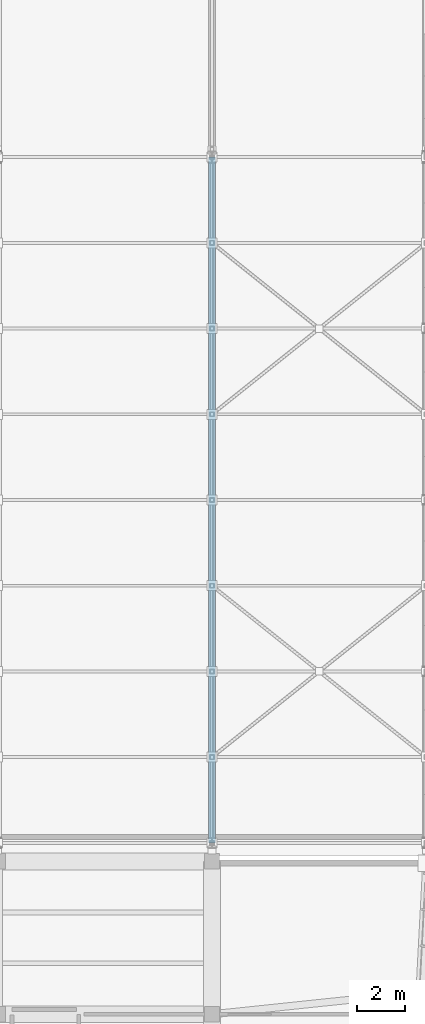
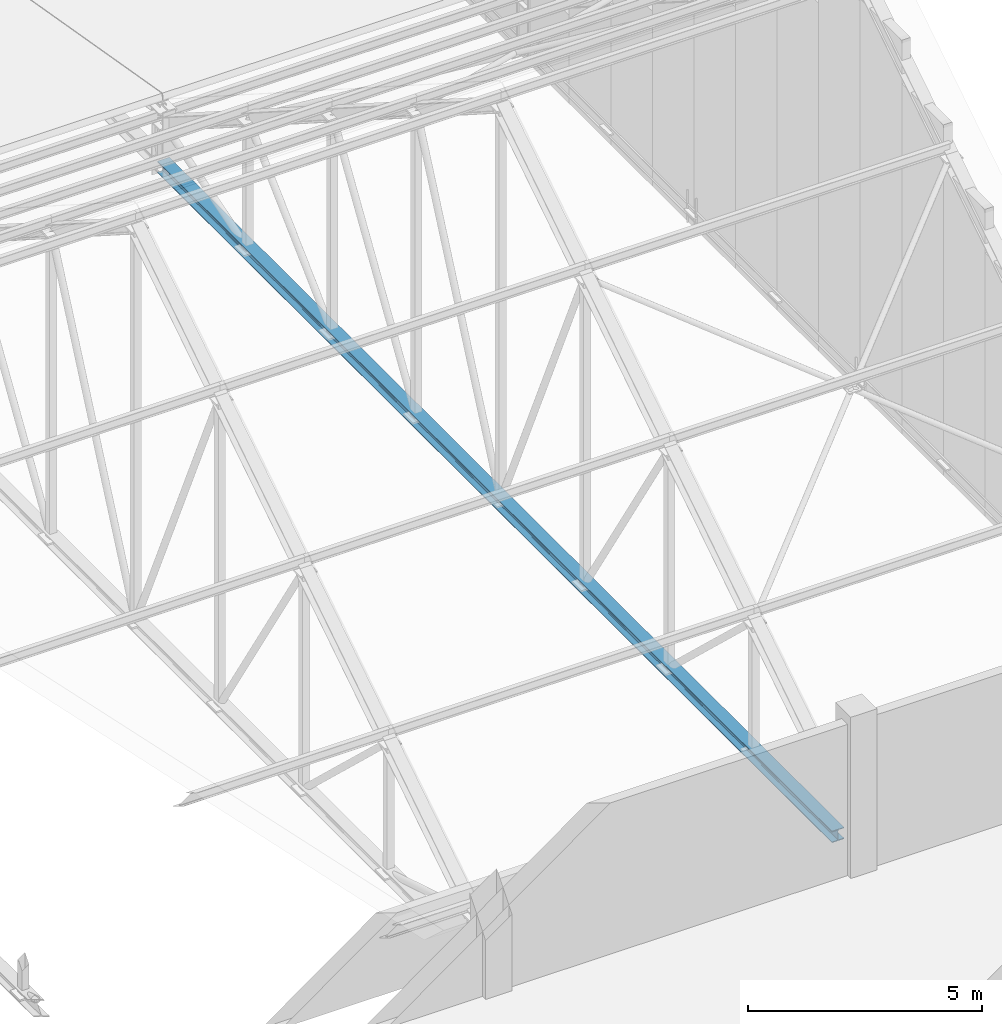
# One storey, part 116 of 182: 1 member.
"""IFC4 building model written with IfcOpenShell, lengths in metres."""

from ifc_helpers import new_model, si_unit, direction, frame, origin, origin_2d, place, context, subcontext, project, spatial, i_section, extrude, material, material_profile, profile_set, type_object, element, save


model = new_model("IFC4")

# Units and contexts
model_context = context("Model", 3, precision=1e-05, world=origin(), true_north=direction((0.0, 1.0)))
body_context = subcontext(model_context, "Body", "Model", "MODEL_VIEW")
ifc_project = project(units=[si_unit("LENGTHUNIT", "METRE"), si_unit("AREAUNIT", "SQUARE_METRE"), si_unit("VOLUMEUNIT", "CUBIC_METRE"), si_unit("PLANEANGLEUNIT", "RADIAN"), si_unit("MASSUNIT", "GRAM", prefix="KILO")], contexts=[model_context])

# Site, building, storey
site_placement = place(None, origin())
site = spatial("IfcSite", under=ifc_project, at=site_placement, CompositionType="ELEMENT")
building_placement = place(site_placement, origin())
building = spatial("IfcBuilding", under=site, at=building_placement, Name="Chiffa Square Polytechnic", CompositionType="ELEMENT")
storey_placement = place(building_placement, frame((0.0, 0.0, 9.60009765625)))
storey = spatial("IfcBuildingStorey", under=building, at=storey_placement, Name="L02", CompositionType="ELEMENT", Elevation=9.60009765625)

# Member
ifc_material = material(Name="Steel S355", Category="steel")
ifc_material_profile = material_profile(ifc_material, i_section(OverallWidth=0.300048828125, OverallDepth=0.300048828125, WebThickness=0.010986328125, FlangeThickness=0.01904296875, FilletRadius=0.027099609375, at=origin_2d()), Name="HEB 300")
ifc_profile_set = profile_set([ifc_material_profile], Name="Steel S355")
member_type = type_object("IfcMemberType", Name="MEM-CHORD-HEB300", PredefinedType="CHORD", material=ifc_profile_set)
member_placement = place(storey_placement, frame((166.199951171875, 58.199951171875, 0.349853515625), z_axis=(0.0, 1.0, 0.0), x_axis=(-1.0, 0.0, 0.0)))
element("IfcMember", 1, at=member_placement, inside=storey, type_object=member_type, Name="Workshop roof truss bottom chord TCB-V2-07", PredefinedType="CHORD", context=body_context, shape_type="SweptSolid", body=[
    extrude(i_section(OverallWidth=0.300048828125, OverallDepth=0.300048828125, WebThickness=0.010986328125, FlangeThickness=0.01904296875, FilletRadius=0.027099609375, at=origin_2d()), origin(), (0.0, 0.0, 1.0), 28.800048828125),
])

save(model, "model.ifc")
